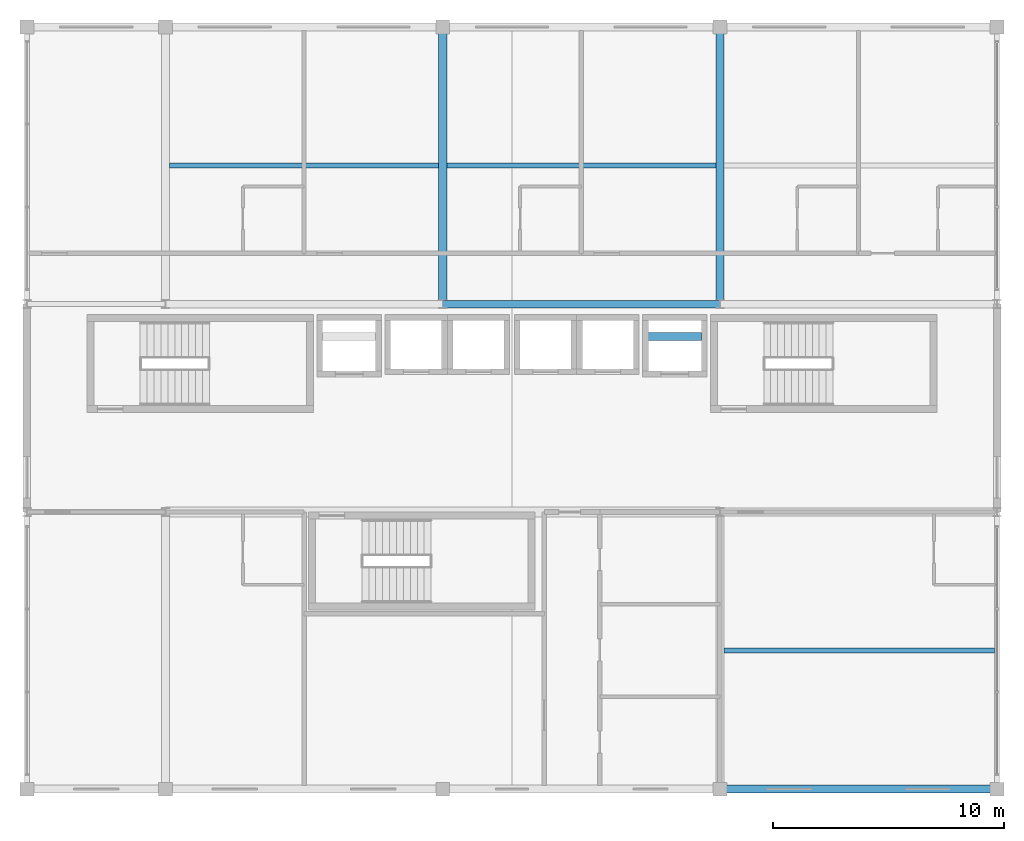
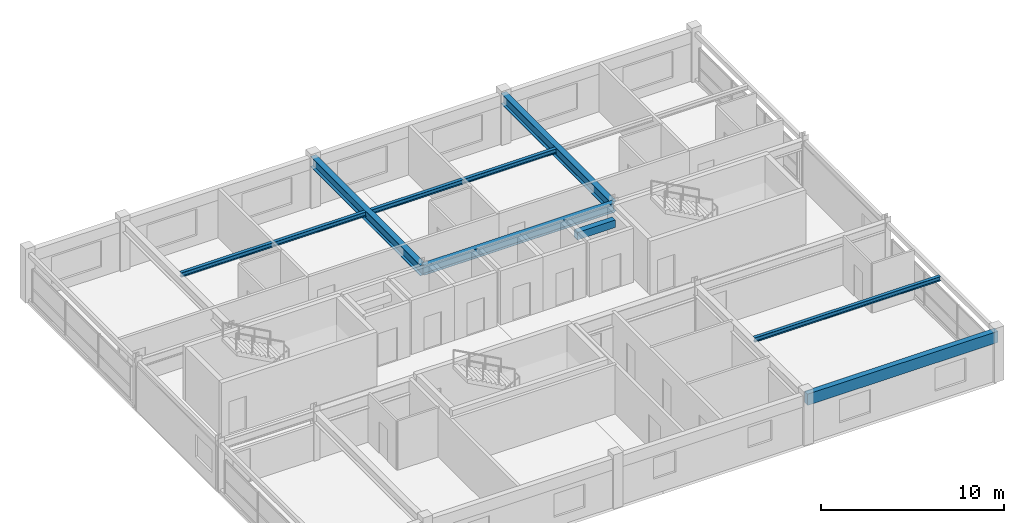
# One storey, part 9 of 22: 8 beams.
"""IFC4 building model written with IfcOpenShell, lengths in metres."""

from ifc_helpers import new_model, si_unit, direction, frame, origin, origin_2d, place, context, subcontext, project, spatial, rectangle, i_section, extrude, material, material_profile, profile_set, type_object, element, save


model = new_model("IFC4")

# Units and contexts
model_context = context("Model", 3, precision=1e-05, world=origin(), true_north=direction((0.0, 1.0)))
body_context = subcontext(model_context, "Body", "Model", "MODEL_VIEW")
ifc_project = project(units=[si_unit("LENGTHUNIT", "METRE"), si_unit("AREAUNIT", "SQUARE_METRE"), si_unit("VOLUMEUNIT", "CUBIC_METRE"), si_unit("PLANEANGLEUNIT", "RADIAN"), si_unit("MASSUNIT", "GRAM", prefix="KILO")], contexts=[model_context])

# Site, building, storey
site_placement = place(None, origin())
site = spatial("IfcSite", under=ifc_project, at=site_placement, CompositionType="ELEMENT")
building_placement = place(site_placement, origin())
building = spatial("IfcBuilding", under=site, at=building_placement, Name="Kaldorvane Square Convention Centre", CompositionType="ELEMENT")
storey_placement = place(building_placement, frame((0.0, 0.0, 67.19999694824219)))
storey = spatial("IfcBuildingStorey", under=building, at=storey_placement, Name="L16", CompositionType="ELEMENT", Elevation=67.19999694824219)

# Beams
ifc_material_1 = material(Name="Steel ASTM A992 Gr. 50", Category="steel")
ifc_material_profile_1 = material_profile(ifc_material_1, i_section(OverallWidth=0.326507568359375, OverallDepth=0.621795654296875, WebThickness=0.0153961181640625, FlangeThickness=0.0243988037109375, FilletRadius=0.0126953125, at=origin_2d()), Name="W24X131")
ifc_profile_set_1 = profile_set([ifc_material_profile_1], Name="Steel ASTM A992 Gr. 50")
beam_type_1 = type_object("IfcBeamType", Name="BM-GR-W24X131", PredefinedType="BEAM", material=ifc_profile_set_1)
beam_1_placement = place(storey_placement, frame((54.0, 105.0, 2.9651031494140625), z_axis=(1.0, 0.0, 0.0), x_axis=(0.0, 1.0, 0.0)))
element("IfcBeam", 1, at=beam_1_placement, inside=storey, type_object=beam_type_1, Name="Primary Girder (L16)", PredefinedType="BEAM", context=body_context, shape_type="SweptSolid", body=[
    extrude(i_section(OverallWidth=0.326507568359375, OverallDepth=0.621795654296875, WebThickness=0.0153961181640625, FlangeThickness=0.0243988037109375, FilletRadius=0.0126953125, at=origin_2d()), origin(), (0.0, 0.0, 1.0), 12.0),
])
ifc_material_profile_2 = material_profile(ifc_material_1, i_section(OverallWidth=0.354705810546875, OverallDepth=0.69549560546875, WebThickness=0.0153961181640625, FlangeThickness=0.0251007080078125, FilletRadius=0.01519775390625, at=origin_2d()), Name="W27X146")
ifc_profile_set_2 = profile_set([ifc_material_profile_2], Name="Steel ASTM A992 Gr. 50")
beam_type_2 = type_object("IfcBeamType", Name="BM-GR-W27X146", PredefinedType="BEAM", material=ifc_profile_set_2)
for number, where, z_axis, x_axis, name in (
    (2, (54.0, 105.0, 2.9282073974609375), (0.0, 1.0, 0.0), (-1.0, 0.0, 0.0), "Transverse Girder (L16)"),
    (3, (66.0, 105.0, 2.9282073974609375), (0.0, 1.0, 0.0), (-1.0, 0.0, 0.0), "Transverse Girder (L16)"),
):
    element("IfcBeam", number, at=place(storey_placement, frame(where, z_axis=z_axis, x_axis=x_axis)), inside=storey, type_object=beam_type_2, Name=name, PredefinedType="BEAM", context=body_context, shape_type="SweptSolid", body=[
        extrude(i_section(OverallWidth=0.354705810546875, OverallDepth=0.69549560546875, WebThickness=0.0153961181640625, FlangeThickness=0.0251007080078125, FilletRadius=0.01519775390625, at=origin_2d()), origin(), (0.0, 0.0, 1.0), 12.0),
    ])
ifc_material_profile_3 = material_profile(ifc_material_1, i_section(OverallWidth=0.2032928466796875, OverallDepth=0.3032989501953125, WebThickness=0.00750732421875, FlangeThickness=0.0131072998046875, FilletRadius=0.01019287109375, at=origin_2d()), Name="W12X40")
ifc_profile_set_3 = profile_set([ifc_material_profile_3], Name="Steel ASTM A992 Gr. 50")
beam_type_3 = type_object("IfcBeamType", Name="BM-JS-W12X40", PredefinedType="JOIST", material=ifc_profile_set_3)
beam_2_placement = place(storey_placement, frame((66.17739868164062, 90.0, 3.124298095703125), z_axis=(1.0, 0.0, 0.0), x_axis=(0.0, 1.0, 0.0)))
element("IfcBeam", 4, at=beam_2_placement, inside=storey, type_object=beam_type_3, Name="Secondary Floor Joist (L16)", PredefinedType="JOIST", context=body_context, shape_type="SweptSolid", body=[
    extrude(i_section(OverallWidth=0.2032928466796875, OverallDepth=0.3032989501953125, WebThickness=0.00750732421875, FlangeThickness=0.0131072998046875, FilletRadius=0.01019287109375, at=origin_2d()), origin(), (0.0, 0.0, 1.0), 11.72100830078125),
])
beam_3_placement = place(storey_placement, frame((42.17730712890625, 111.0, 3.124298095703125), z_axis=(1.0, 0.0, 0.0), x_axis=(0.0, 1.0, 0.0)))
element("IfcBeam", 5, at=beam_3_placement, inside=storey, type_object=beam_type_3, Name="Secondary Floor Joist (L16)", PredefinedType="JOIST", context=body_context, shape_type="SweptSolid", body=[
    extrude(i_section(OverallWidth=0.2032928466796875, OverallDepth=0.3032989501953125, WebThickness=0.00750732421875, FlangeThickness=0.0131072998046875, FilletRadius=0.01019287109375, at=origin_2d()), origin(), (0.0, 0.0, 1.0), 11.6453857421875),
])
beam_4_placement = place(storey_placement, frame((54.17730712890625, 111.0, 3.124298095703125), z_axis=(1.0, 0.0, 0.0), x_axis=(0.0, 1.0, 0.0)))
element("IfcBeam", 6, at=beam_4_placement, inside=storey, type_object=beam_type_3, Name="Secondary Floor Joist (L16)", PredefinedType="JOIST", context=body_context, shape_type="SweptSolid", body=[
    extrude(i_section(OverallWidth=0.2032928466796875, OverallDepth=0.3032989501953125, WebThickness=0.00750732421875, FlangeThickness=0.0131072998046875, FilletRadius=0.01019287109375, at=origin_2d()), origin(), (0.0, 0.0, 1.0), 11.645294189453125),
])
ifc_material_2 = material(Name="Concrete f'c = 42 MPa (Normalweight)", Category="concrete")
ifc_material_profile_4 = material_profile(ifc_material_2, rectangle(XDim=0.350006103515625, YDim=0.5, at=origin_2d()), Name="RCLN500X350")
ifc_profile_set_4 = profile_set([ifc_material_profile_4], Name="Concrete f'c = 42 MPa (Normalweight)")
beam_type_4 = type_object("IfcBeamType", Name="BM-LN-RC500", PredefinedType="LINTEL", material=ifc_profile_set_4)
beam_5_placement = place(storey_placement, frame((62.80000305175781, 103.60000610351562, 3.0279998779296875), z_axis=(1.0, 0.0, 0.0), x_axis=(0.0, 1.0, 0.0)))
element("IfcBeam", 7, at=beam_5_placement, inside=storey, type_object=beam_type_4, Name="Core Coupling Lintel E (L16)", PredefinedType="LINTEL", context=body_context, shape_type="SweptSolid", body=[
    extrude(rectangle(XDim=0.350006103515625, YDim=0.5, at=origin_2d()), origin(), (0.0, 0.0, 1.0), 2.399993896484375),
])
ifc_material_profile_5 = material_profile(ifc_material_2, rectangle(XDim=0.350006103515625, YDim=0.75, at=origin_2d()), Name="RCSP750X350")
ifc_profile_set_5 = profile_set([ifc_material_profile_5], Name="Concrete f'c = 42 MPa (Normalweight)")
beam_type_5 = type_object("IfcBeamType", Name="BM-SP-RC750", PredefinedType="SPANDREL", material=ifc_profile_set_5)
beam_6_placement = place(storey_placement, frame((66.0, 84.0, 2.9010009765625), z_axis=(1.0, 0.0, 0.0), x_axis=(0.0, 1.0, 0.0)))
element("IfcBeam", 8, at=beam_6_placement, inside=storey, type_object=beam_type_5, Name="Perimeter Spandrel (L16)", PredefinedType="SPANDREL", context=body_context, shape_type="SweptSolid", body=[
    extrude(rectangle(XDim=0.350006103515625, YDim=0.75, at=origin_2d()), origin(), (0.0, 0.0, 1.0), 12.0),
])

save(model, "model.ifc")
